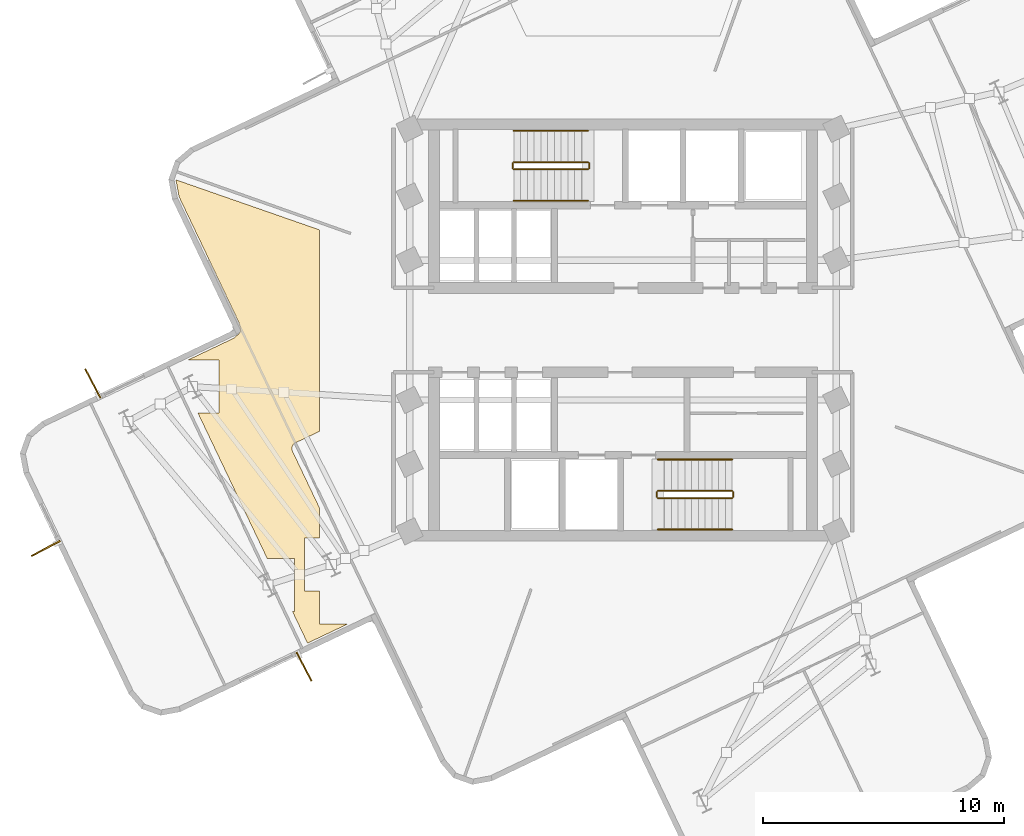
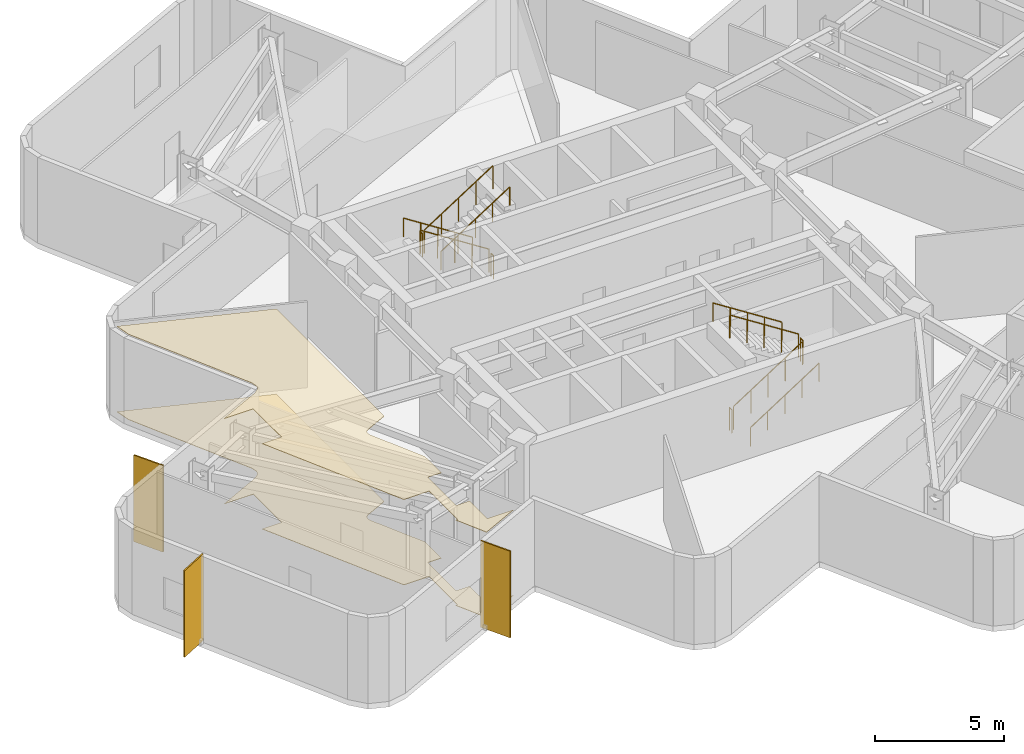
# One storey, part 6 of 7: 12 railings, 3 shading devices, 2 coverings.
"""IFC4 building model written with IfcOpenShell, lengths in metres."""

from ifc_helpers import new_model, si_unit, direction, frame, origin, origin_2d, place, context, subcontext, project, spatial, polyline, rectangle, circle, outline, extrude, material, layer, layer_set, type_object, element, save


model = new_model("IFC4")

# Units and contexts
model_context = context("Model", 3, precision=1e-05, world=origin(), true_north=direction((0.0, 1.0)))
body_context = subcontext(model_context, "Body", "Model", "MODEL_VIEW")
ifc_project = project(units=[si_unit("LENGTHUNIT", "METRE"), si_unit("AREAUNIT", "SQUARE_METRE"), si_unit("VOLUMEUNIT", "CUBIC_METRE"), si_unit("PLANEANGLEUNIT", "RADIAN"), si_unit("MASSUNIT", "GRAM", prefix="KILO")], contexts=[model_context])

# Site, building, storey
site_placement = place(None, origin())
site = spatial("IfcSite", under=ifc_project, at=site_placement, CompositionType="ELEMENT")
building_placement = place(site_placement, origin())
building = spatial("IfcBuilding", under=site, at=building_placement, Name="Solmarez Civic Tower", CompositionType="ELEMENT")
storey_placement = place(building_placement, frame((0.0, 0.0, 188.280029296875)))
storey = spatial("IfcBuildingStorey", under=building, at=storey_placement, Name="L50", CompositionType="ELEMENT", Elevation=188.280029296875)

# Coverings
ifc_material_1 = material(Name="Perforated Mineral-Fibre Acoustic Ceiling")
ifc_layer_1 = layer(ifc_material_1, 0.02490234375)
ifc_layer_set_1 = layer_set([ifc_layer_1], Name="Perforated Mineral-Fibre Acoustic Ceiling")
covering_type_1 = type_object("IfcCoveringType", Name="COV-CEIL-ACOUSTIC", PredefinedType="CEILING", material=ifc_layer_set_1)
covering_1_placement = place(storey_placement, frame((0.0, 0.0, 4.034912109375)))
element("IfcCovering", 1, at=covering_1_placement, inside=storey, type_object=covering_type_1, Name="L50 Suspended Acoustic Ceiling 1", PredefinedType="CEILING", context=body_context, shape_type="SweptSolid", body=[
    extrude(outline(polyline([(-15.926025390625, -0.126953125), (-15.93603515625, -0.14404296875), (-15.947998046875, -0.158935546875), (-15.9609375, -0.174072265625), (-15.966064453125, -0.178955078125), (-15.971923828125, -0.18505859375), (-15.986083984375, -0.197021484375), (-16.116943359375, -0.30810546875), (-16.1220703125, -0.31201171875), (-16.126953125, -0.31591796875), (-16.14208984375, -0.326904296875), (-16.154052734375, -0.3349609375), (-16.180908203125, -0.35107421875), (-18.06201171875, -1.24609375), (-16.758056640625, -1.24609375), (-16.758056640625, -3.446044921875), (-17.631103515625, -3.446044921875), (-14.760986328125, -9.472900390625), (-13.631103515625, -9.472900390625), (-13.631103515625, -11.673095703125), (-13.714111328125, -11.673095703125), (-13.087890625, -12.988037109375), (-11.43310546875, -12.199951171875), (-12.60009765625, -12.199951171875), (-12.60009765625, -10.8310546875), (-13.2060546875, -10.8310546875), (-13.2060546875, -8.631103515625), (-12.60009765625, -8.631103515625), (-12.60009765625, -7.360107421875), (-13.708984375, -5.032958984375), (-13.714111328125, -5.02001953125), (-13.716064453125, -5.014892578125), (-13.722900390625, -4.99609375), (-13.72802734375, -4.97607421875), (-13.72998046875, -4.966064453125), (-13.73291015625, -4.947021484375), (-13.73388671875, -4.93798828125), (-13.735107421875, -4.9150390625), (-13.73388671875, -4.89208984375), (-13.73291015625, -4.882080078125), (-13.72900390625, -4.85888671875), (-13.722900390625, -4.8359375), (-13.715087890625, -4.81494140625), (-13.7119140625, -4.80810546875), (-13.701904296875, -4.785888671875), (-13.68994140625, -4.76611328125), (-13.675048828125, -4.7470703125), (-13.669921875, -4.740966796875), (-13.662109375, -4.73095703125), (-13.64697265625, -4.716064453125), (-13.631103515625, -4.702880859375), (-13.623046875, -4.697021484375), (-13.60693359375, -4.68603515625), (-13.590087890625, -4.677001953125), (-13.577880859375, -4.6708984375), (-12.60009765625, -4.205078125), (-12.60009765625, 4.162109375), (-18.54296875, 6.23388671875), (-18.544921875, 6.22802734375), (-18.416015625, 5.530029296875), (-15.93994140625, 0.3310546875), (-15.93701171875, 0.322998046875), (-15.93408203125, 0.31591796875), (-15.927001953125, 0.299072265625), (-15.925048828125, 0.29296875), (-15.922119140625, 0.282958984375), (-15.919921875, 0.27587890625), (-15.916015625, 0.256103515625), (-15.885009765625, 0.0869140625), (-15.883056640625, 0.073974609375), (-15.882080078125, 0.06591796875), (-15.8798828125, 0.0390625), (-15.8798828125, 0.02392578125), (-15.882080078125, -0.007080078125), (-15.883056640625, -0.013916015625), (-15.887939453125, -0.035888671875), (-15.889892578125, -0.0439453125), (-15.89501953125, -0.06103515625), (-15.90087890625, -0.077880859375), (-15.904052734375, -0.0849609375), (-15.906982421875, -0.092041015625), (-15.916015625, -0.110107421875), (-15.926025390625, -0.126953125)])), origin(), (0.0, 0.0, 1.0), 0.025146484375),
])
ifc_material_2 = material(Name="Polished Tropical Stone Terrazzo Flooring", Category="masonry")
ifc_layer_2 = layer(ifc_material_2, 0.02001953125)
ifc_layer_set_2 = layer_set([ifc_layer_2], Name="Polished Tropical Stone Terrazzo Flooring")
covering_type_2 = type_object("IfcCoveringType", Name="COV-FLOOR-TERRAZZO", PredefinedType="FLOORING", material=ifc_layer_set_2)
covering_2_placement = place(storey_placement, origin())
element("IfcCovering", 2, at=covering_2_placement, inside=storey, type_object=covering_type_2, Name="L50 Terrazzo Floor Finish 1", PredefinedType="FLOORING", context=body_context, shape_type="SweptSolid", body=[
    extrude(outline(polyline([(-15.926025390625, -0.126953125), (-15.93603515625, -0.14404296875), (-15.947998046875, -0.158935546875), (-15.9609375, -0.174072265625), (-15.966064453125, -0.178955078125), (-15.971923828125, -0.18505859375), (-15.986083984375, -0.197021484375), (-16.116943359375, -0.30810546875), (-16.1220703125, -0.31201171875), (-16.126953125, -0.31591796875), (-16.14208984375, -0.326904296875), (-16.154052734375, -0.3349609375), (-16.180908203125, -0.35107421875), (-18.06201171875, -1.24609375), (-16.758056640625, -1.24609375), (-16.758056640625, -3.446044921875), (-17.631103515625, -3.446044921875), (-14.760986328125, -9.472900390625), (-13.631103515625, -9.472900390625), (-13.631103515625, -11.673095703125), (-13.714111328125, -11.673095703125), (-13.087890625, -12.988037109375), (-11.43310546875, -12.199951171875), (-12.60009765625, -12.199951171875), (-12.60009765625, -10.8310546875), (-13.2060546875, -10.8310546875), (-13.2060546875, -8.631103515625), (-12.60009765625, -8.631103515625), (-12.60009765625, -7.360107421875), (-13.708984375, -5.032958984375), (-13.714111328125, -5.02001953125), (-13.716064453125, -5.014892578125), (-13.722900390625, -4.99609375), (-13.72802734375, -4.97607421875), (-13.72998046875, -4.966064453125), (-13.73291015625, -4.947021484375), (-13.73388671875, -4.93798828125), (-13.735107421875, -4.9150390625), (-13.73388671875, -4.89208984375), (-13.73291015625, -4.882080078125), (-13.72900390625, -4.85888671875), (-13.722900390625, -4.8359375), (-13.715087890625, -4.81494140625), (-13.7119140625, -4.80810546875), (-13.701904296875, -4.785888671875), (-13.68994140625, -4.76611328125), (-13.675048828125, -4.7470703125), (-13.669921875, -4.740966796875), (-13.662109375, -4.73095703125), (-13.64697265625, -4.716064453125), (-13.631103515625, -4.702880859375), (-13.623046875, -4.697021484375), (-13.60693359375, -4.68603515625), (-13.590087890625, -4.677001953125), (-13.577880859375, -4.6708984375), (-12.60009765625, -4.205078125), (-12.60009765625, 4.162109375), (-18.54296875, 6.23388671875), (-18.544921875, 6.22802734375), (-18.416015625, 5.530029296875), (-15.93994140625, 0.3310546875), (-15.93701171875, 0.322998046875), (-15.93408203125, 0.31591796875), (-15.927001953125, 0.299072265625), (-15.925048828125, 0.29296875), (-15.922119140625, 0.282958984375), (-15.919921875, 0.27587890625), (-15.916015625, 0.256103515625), (-15.885009765625, 0.0869140625), (-15.883056640625, 0.073974609375), (-15.882080078125, 0.06591796875), (-15.8798828125, 0.0390625), (-15.8798828125, 0.02392578125), (-15.882080078125, -0.007080078125), (-15.883056640625, -0.013916015625), (-15.887939453125, -0.035888671875), (-15.889892578125, -0.0439453125), (-15.89501953125, -0.06103515625), (-15.90087890625, -0.077880859375), (-15.904052734375, -0.0849609375), (-15.906982421875, -0.092041015625), (-15.916015625, -0.110107421875), (-15.926025390625, -0.126953125)])), origin(), (0.0, 0.0, 1.0), 0.02001953125),
])

# Shading devices
ifc_material_3 = material(Name="Bronze Anodised Aluminium EN AW-6063 T6", Category="aluminium")
ifc_layer_3 = layer(ifc_material_3, 0.06005859375)
ifc_layer_set_3 = layer_set([ifc_layer_3], Name="Bronze Anodised Aluminium EN AW-6063 T6")
shading_device_type = type_object("IfcShadingDeviceType", Name="FIN-BRONZE-Z34", PredefinedType="USERDEFINED", material=ifc_layer_set_3)
for number, where, z_axis, x_axis, name in (
    (3, (-13.237060546875, -13.9599609375, -0.0400390625), (0.0, 0.0, 1.0), (0.465830749697, -0.884873839955, 0.0), "L50 Anodised Bronze Solar Fin FIN-L50-01"),
    (4, (-23.947021484375, -9.05810546875, -0.0400390625), (0.0, 0.0, 1.0), (-0.884947001561, -0.465691748293, 0.0), "L50 Anodised Bronze Solar Fin FIN-L50-02"),
    (5, (-21.9951171875, -2.215087890625, -0.0400390625), (0.0, 0.0, 1.0), (-0.465753528113, 0.884914487987, 0.0), "L50 Anodised Bronze Solar Fin FIN-L50-03"),
):
    element("IfcShadingDevice", number, at=place(storey_placement, frame(where, z_axis=z_axis, x_axis=x_axis)), inside=storey, type_object=shading_device_type, Name=name, ObjectType="FIN", PredefinedType="USERDEFINED", context=body_context, shape_type="SweptSolid", body=[
        extrude(rectangle(XDim=1.35009765625, YDim=0.06005859375, at=origin_2d()), origin(), (0.0, 0.0, 1.0), 4.10009765625),
    ])

# Railings
ifc_material_4 = material(Name="Painted Steel Stairwell Safety Guard", Category="steel")
railing_type_1 = type_object("IfcRailingType", Name="GUARD-STAIR-1120", PredefinedType="BALUSTRADE", material=ifc_material_4)
railing_1_placement = place(storey_placement, frame((-1.449951171875, 6.969970703125, 0.179931640625)))
element("IfcRailing", 6, at=railing_1_placement, inside=storey, type_object=railing_type_1, Name="L50 ST-1 stair guard 1", PredefinedType="BALUSTRADE", context=body_context, shape_type="SweptSolid", body=[
    extrude(circle(Radius=0.02392578125, at=origin_2d()), frame((0.0, 0.0, 1.09619140625), z_axis=(-0.84118714077, 0.0, 0.540744111576), x_axis=(0.0, -1.0, 0.0)), (0.0, 0.0, 1.0), 3.66162109375),
    extrude(circle(Radius=0.02099609375, at=origin_2d()), origin(), (0.0, 0.0, 1.0), 1.072021484375),
    extrude(circle(Radius=0.02099609375, at=origin_2d()), frame((-0.77001953125, 0.0, 0.4951171875)), (0.0, 0.0, 1.0), 1.072021484375),
    extrude(circle(Radius=0.02099609375, at=origin_2d()), frame((-1.5400390625, 0.0, 0.989990234375)), (0.0, 0.0, 1.0), 1.072021484375),
    extrude(circle(Radius=0.02099609375, at=origin_2d()), frame((-2.31005859375, 0.0, 1.48486328125)), (0.0, 0.0, 1.0), 1.072021484375),
    extrude(circle(Radius=0.02099609375, at=origin_2d()), frame((-3.080078125, 0.0, 1.97998046875)), (0.0, 0.0, 1.0), 1.072021484375),
])
railing_2_placement = place(storey_placement, frame((-4.580078125, 6.919921875, 2.159912109375)))
element("IfcRailing", 7, at=railing_2_placement, inside=storey, type_object=railing_type_1, Name="L50 ST-1 stair guard 2", PredefinedType="BALUSTRADE", context=body_context, shape_type="SweptSolid", body=[
    extrude(circle(Radius=0.02392578125, at=origin_2d()), frame((0.0, 0.0, 1.09619140625), z_axis=(0.0, -1.0, 0.0), x_axis=(1.0, 0.0, 0.0)), (0.0, 0.0, 1.0), 0.199951171875),
    extrude(circle(Radius=0.02099609375, at=origin_2d()), origin(), (0.0, 0.0, 1.0), 1.072021484375),
    extrude(circle(Radius=0.02099609375, at=origin_2d()), frame((0.0, -0.199951171875, 0.0)), (0.0, 0.0, 1.0), 1.072021484375),
])
railing_3_placement = place(storey_placement, frame((-4.530029296875, 6.669921875, 2.340087890625)))
element("IfcRailing", 8, at=railing_3_placement, inside=storey, type_object=railing_type_1, Name="L50 ST-1 stair guard 3", PredefinedType="BALUSTRADE", context=body_context, shape_type="SweptSolid", body=[
    extrude(circle(Radius=0.02392578125, at=origin_2d()), frame((0.0, 0.0, 1.09619140625), z_axis=(0.84118714077, 0.0, 0.540744111576), x_axis=(0.0, 1.0, 0.0)), (0.0, 0.0, 1.0), 3.66162109375),
    extrude(circle(Radius=0.02099609375, at=origin_2d()), origin(), (0.0, 0.0, 1.0), 1.072021484375),
    extrude(circle(Radius=0.02099609375, at=origin_2d()), frame((0.77001953125, 0.0, 0.4951171875)), (0.0, 0.0, 1.0), 1.072021484375),
    extrude(circle(Radius=0.02099609375, at=origin_2d()), frame((1.5400390625, 0.0, 0.989990234375)), (0.0, 0.0, 1.0), 1.072021484375),
    extrude(circle(Radius=0.02099609375, at=origin_2d()), frame((2.31005859375, 0.0, 1.48486328125)), (0.0, 0.0, 1.0), 1.072021484375),
    extrude(circle(Radius=0.02099609375, at=origin_2d()), frame((3.080078125, 0.0, 1.97998046875)), (0.0, 0.0, 1.0), 1.072021484375),
])
railing_4_placement = place(storey_placement, frame((-1.39990234375, 6.919921875, 0.0)))
element("IfcRailing", 9, at=railing_4_placement, inside=storey, type_object=railing_type_1, Name="L50 ST-1 stair guard 4", PredefinedType="BALUSTRADE", context=body_context, shape_type="SweptSolid", body=[
    extrude(circle(Radius=0.02392578125, at=origin_2d()), frame((0.0, 0.0, 1.09619140625), z_axis=(0.0, -1.0, 0.0), x_axis=(1.0, 0.0, 0.0)), (0.0, 0.0, 1.0), 0.199951171875),
    extrude(circle(Radius=0.02099609375, at=origin_2d()), origin(), (0.0, 0.0, 1.0), 1.072021484375),
    extrude(circle(Radius=0.02099609375, at=origin_2d()), frame((0.0, -0.199951171875, 0.0)), (0.0, 0.0, 1.0), 1.072021484375),
])
railing_5_placement = place(storey_placement, frame((1.449951171875, -6.969970703125, 0.179931640625)))
element("IfcRailing", 10, at=railing_5_placement, inside=storey, type_object=railing_type_1, Name="L50 ST-2 stair guard 1", PredefinedType="BALUSTRADE", context=body_context, shape_type="SweptSolid", body=[
    extrude(circle(Radius=0.02392578125, at=origin_2d()), frame((0.0, 0.0, 1.09619140625), z_axis=(0.84118714077, 0.0, 0.540744111576), x_axis=(0.0, 1.0, 0.0)), (0.0, 0.0, 1.0), 3.66162109375),
    extrude(circle(Radius=0.02099609375, at=origin_2d()), origin(), (0.0, 0.0, 1.0), 1.072021484375),
    extrude(circle(Radius=0.02099609375, at=origin_2d()), frame((0.77001953125, 0.0, 0.4951171875)), (0.0, 0.0, 1.0), 1.072021484375),
    extrude(circle(Radius=0.02099609375, at=origin_2d()), frame((1.5400390625, 0.0, 0.989990234375)), (0.0, 0.0, 1.0), 1.072021484375),
    extrude(circle(Radius=0.02099609375, at=origin_2d()), frame((2.31005859375, 0.0, 1.48486328125)), (0.0, 0.0, 1.0), 1.072021484375),
    extrude(circle(Radius=0.02099609375, at=origin_2d()), frame((3.080078125, 0.0, 1.97998046875)), (0.0, 0.0, 1.0), 1.072021484375),
])
railing_6_placement = place(storey_placement, frame((4.580078125, -6.919921875, 2.159912109375)))
element("IfcRailing", 11, at=railing_6_placement, inside=storey, type_object=railing_type_1, Name="L50 ST-2 stair guard 2", PredefinedType="BALUSTRADE", context=body_context, shape_type="SweptSolid", body=[
    extrude(circle(Radius=0.02392578125, at=origin_2d()), frame((0.0, 0.0, 1.09619140625), z_axis=(0.0, 1.0, 0.0), x_axis=(-1.0, 0.0, 0.0)), (0.0, 0.0, 1.0), 0.199951171875),
    extrude(circle(Radius=0.02099609375, at=origin_2d()), origin(), (0.0, 0.0, 1.0), 1.072021484375),
    extrude(circle(Radius=0.02099609375, at=origin_2d()), frame((0.0, 0.199951171875, 0.0)), (0.0, 0.0, 1.0), 1.072021484375),
])
railing_7_placement = place(storey_placement, frame((4.530029296875, -6.669921875, 2.340087890625)))
element("IfcRailing", 12, at=railing_7_placement, inside=storey, type_object=railing_type_1, Name="L50 ST-2 stair guard 3", PredefinedType="BALUSTRADE", context=body_context, shape_type="SweptSolid", body=[
    extrude(circle(Radius=0.02392578125, at=origin_2d()), frame((0.0, 0.0, 1.09619140625), z_axis=(-0.84118714077, 0.0, 0.540744111576), x_axis=(0.0, -1.0, 0.0)), (0.0, 0.0, 1.0), 3.66162109375),
    extrude(circle(Radius=0.02099609375, at=origin_2d()), origin(), (0.0, 0.0, 1.0), 1.072021484375),
    extrude(circle(Radius=0.02099609375, at=origin_2d()), frame((-0.77001953125, 0.0, 0.4951171875)), (0.0, 0.0, 1.0), 1.072021484375),
    extrude(circle(Radius=0.02099609375, at=origin_2d()), frame((-1.5400390625, 0.0, 0.989990234375)), (0.0, 0.0, 1.0), 1.072021484375),
    extrude(circle(Radius=0.02099609375, at=origin_2d()), frame((-2.31005859375, 0.0, 1.48486328125)), (0.0, 0.0, 1.0), 1.072021484375),
    extrude(circle(Radius=0.02099609375, at=origin_2d()), frame((-3.080078125, 0.0, 1.97998046875)), (0.0, 0.0, 1.0), 1.072021484375),
])
railing_8_placement = place(storey_placement, frame((1.39990234375, -6.919921875, 0.0)))
element("IfcRailing", 13, at=railing_8_placement, inside=storey, type_object=railing_type_1, Name="L50 ST-2 stair guard 4", PredefinedType="BALUSTRADE", context=body_context, shape_type="SweptSolid", body=[
    extrude(circle(Radius=0.02392578125, at=origin_2d()), frame((0.0, 0.0, 1.09619140625), z_axis=(0.0, 1.0, 0.0), x_axis=(-1.0, 0.0, 0.0)), (0.0, 0.0, 1.0), 0.199951171875),
    extrude(circle(Radius=0.02099609375, at=origin_2d()), origin(), (0.0, 0.0, 1.0), 1.072021484375),
    extrude(circle(Radius=0.02099609375, at=origin_2d()), frame((0.0, 0.199951171875, 0.0)), (0.0, 0.0, 1.0), 1.072021484375),
])
ifc_material_5 = material(Name="Brushed Stainless Steel Tube Handrail", Category="steel")
railing_type_2 = type_object("IfcRailingType", Name="HANDRAIL-STAIR-900", PredefinedType="HANDRAIL", material=ifc_material_5)
railing_9_placement = place(storey_placement, frame((-1.449951171875, 8.27001953125, 0.179931640625)))
element("IfcRailing", 14, at=railing_9_placement, inside=storey, type_object=railing_type_2, Name="L50 ST-1 stair handrail 1", PredefinedType="HANDRAIL", context=body_context, shape_type="SweptSolid", body=[
    extrude(circle(Radius=0.02392578125, at=origin_2d()), frame((0.0, 0.0, 0.8759765625), z_axis=(-0.84118714077, 0.0, 0.540744111576), x_axis=(0.0, -1.0, 0.0)), (0.0, 0.0, 1.0), 3.66162109375),
    extrude(circle(Radius=0.02099609375, at=origin_2d()), origin(), (0.0, 0.0, 1.0), 0.851806640625),
    extrude(circle(Radius=0.02099609375, at=origin_2d()), frame((-0.77001953125, 0.0, 0.4951171875)), (0.0, 0.0, 1.0), 0.851806640625),
    extrude(circle(Radius=0.02099609375, at=origin_2d()), frame((-1.5400390625, 0.0, 0.989990234375)), (0.0, 0.0, 1.0), 0.851806640625),
    extrude(circle(Radius=0.02099609375, at=origin_2d()), frame((-2.31005859375, 0.0, 1.48486328125)), (0.0, 0.0, 1.0), 0.851806640625),
    extrude(circle(Radius=0.02099609375, at=origin_2d()), frame((-3.080078125, 0.0, 1.97998046875)), (0.0, 0.0, 1.0), 0.851806640625),
])
for number, where, name in (
    (15, (-4.530029296875, 5.3701171875, 2.340087890625), "L50 ST-1 stair handrail 2"),
    (16, (1.449951171875, -8.27001953125, 0.179931640625), "L50 ST-2 stair handrail 1"),
):
    element("IfcRailing", number, at=place(storey_placement, frame(where)), inside=storey, type_object=railing_type_2, Name=name, PredefinedType="HANDRAIL", context=body_context, shape_type="SweptSolid", body=[
        extrude(circle(Radius=0.02392578125, at=origin_2d()), frame((0.0, 0.0, 0.8759765625), z_axis=(0.84118714077, 0.0, 0.540744111576), x_axis=(0.0, 1.0, 0.0)), (0.0, 0.0, 1.0), 3.66162109375),
        extrude(circle(Radius=0.02099609375, at=origin_2d()), origin(), (0.0, 0.0, 1.0), 0.851806640625),
        extrude(circle(Radius=0.02099609375, at=origin_2d()), frame((0.77001953125, 0.0, 0.4951171875)), (0.0, 0.0, 1.0), 0.851806640625),
        extrude(circle(Radius=0.02099609375, at=origin_2d()), frame((1.5400390625, 0.0, 0.989990234375)), (0.0, 0.0, 1.0), 0.851806640625),
        extrude(circle(Radius=0.02099609375, at=origin_2d()), frame((2.31005859375, 0.0, 1.48486328125)), (0.0, 0.0, 1.0), 0.851806640625),
        extrude(circle(Radius=0.02099609375, at=origin_2d()), frame((3.080078125, 0.0, 1.97998046875)), (0.0, 0.0, 1.0), 0.851806640625),
    ])
railing_10_placement = place(storey_placement, frame((4.530029296875, -5.3701171875, 2.340087890625)))
element("IfcRailing", 17, at=railing_10_placement, inside=storey, type_object=railing_type_2, Name="L50 ST-2 stair handrail 2", PredefinedType="HANDRAIL", context=body_context, shape_type="SweptSolid", body=[
    extrude(circle(Radius=0.02392578125, at=origin_2d()), frame((0.0, 0.0, 0.8759765625), z_axis=(-0.84118714077, 0.0, 0.540744111576), x_axis=(0.0, -1.0, 0.0)), (0.0, 0.0, 1.0), 3.66162109375),
    extrude(circle(Radius=0.02099609375, at=origin_2d()), origin(), (0.0, 0.0, 1.0), 0.851806640625),
    extrude(circle(Radius=0.02099609375, at=origin_2d()), frame((-0.77001953125, 0.0, 0.4951171875)), (0.0, 0.0, 1.0), 0.851806640625),
    extrude(circle(Radius=0.02099609375, at=origin_2d()), frame((-1.5400390625, 0.0, 0.989990234375)), (0.0, 0.0, 1.0), 0.851806640625),
    extrude(circle(Radius=0.02099609375, at=origin_2d()), frame((-2.31005859375, 0.0, 1.48486328125)), (0.0, 0.0, 1.0), 0.851806640625),
    extrude(circle(Radius=0.02099609375, at=origin_2d()), frame((-3.080078125, 0.0, 1.97998046875)), (0.0, 0.0, 1.0), 0.851806640625),
])

save(model, "model.ifc")
